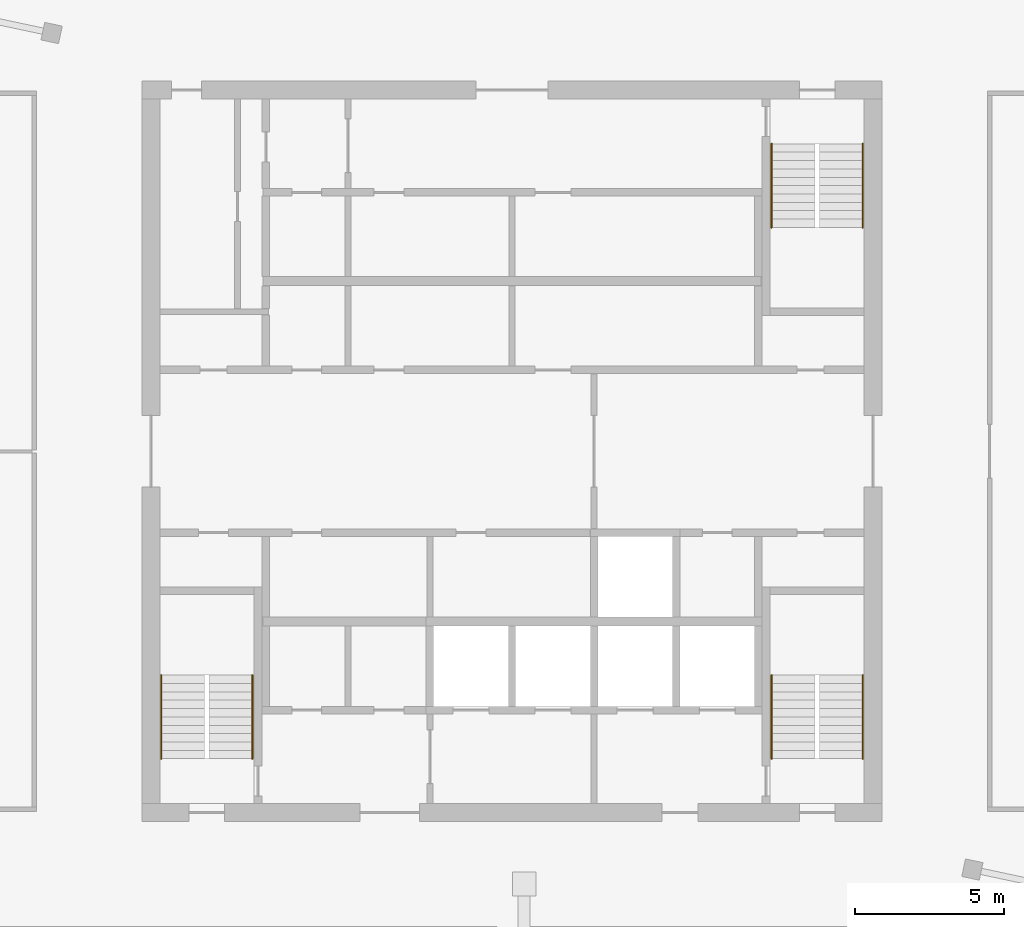
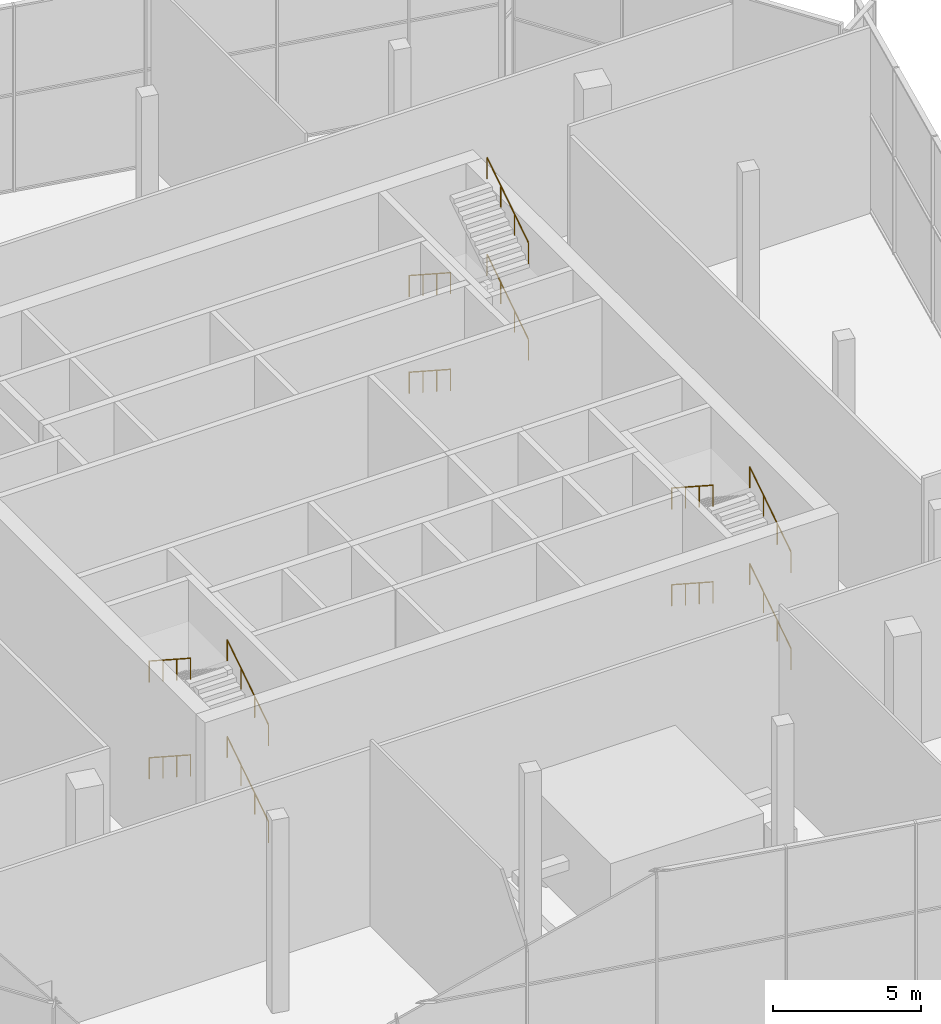
# One storey, part 13 of 14: 12 railings.
"""IFC4 building model written with IfcOpenShell, lengths in metres."""

from ifc_helpers import new_model, si_unit, direction, frame, origin, origin_2d, place, context, subcontext, project, spatial, circle, extrude, material, type_object, element, save


model = new_model("IFC4")

# Units and contexts
model_context = context("Model", 3, precision=1e-05, world=origin(), true_north=direction((0.0, 1.0)))
body_context = subcontext(model_context, "Body", "Model", "MODEL_VIEW")
ifc_project = project(units=[si_unit("LENGTHUNIT", "METRE"), si_unit("AREAUNIT", "SQUARE_METRE"), si_unit("VOLUMEUNIT", "CUBIC_METRE"), si_unit("PLANEANGLEUNIT", "RADIAN"), si_unit("MASSUNIT", "GRAM", prefix="KILO")], contexts=[model_context])

# Site, building, storey
site_placement = place(None, origin())
site = spatial("IfcSite", under=ifc_project, at=site_placement, CompositionType="ELEMENT")
building_placement = place(site_placement, origin())
building = spatial("IfcBuilding", under=site, at=building_placement, Name="Dilmun Exchange Tower", CompositionType="ELEMENT")
storey_placement = place(building_placement, frame((0.0, 0.0, 350.10009765625)))
storey = spatial("IfcBuildingStorey", under=building, at=storey_placement, Name="Crown L83", CompositionType="ELEMENT", Elevation=350.10009765625)

# Railings
ifc_material = material(Name="Stainless steel", Category="steel")
railing_type = type_object("IfcRailingType", Name="Stair handrail 900", PredefinedType="HANDRAIL", material=ifc_material)
railing_1_placement = place(storey_placement, frame((8.699951171875, 10.300048828125, 0.181640625)))
element("IfcRailing", 1, at=railing_1_placement, inside=storey, type_object=railing_type, Name="Crown L83 ST1 stair handrail 1", PredefinedType="HANDRAIL", context=body_context, shape_type="SweptSolid", body=[
    extrude(circle(Radius=0.02392578125, at=origin_2d()), frame((0.0, 0.0, 0.8759765625), z_axis=(0.0, -0.838672427954, 0.544636170843), x_axis=(1.0, 0.0, 0.0)), (0.0, 0.0, 1.0), 3.338623046875),
    extrude(circle(Radius=0.02099609375, at=origin_2d()), origin(), (0.0, 0.0, 1.0), 0.851806640625),
    extrude(circle(Radius=0.02099609375, at=origin_2d()), frame((0.0, -0.933349609375, 0.606201171875)), (0.0, 0.0, 1.0), 0.851806640625),
    extrude(circle(Radius=0.02099609375, at=origin_2d()), frame((0.0, -1.86669921875, 1.212158203125)), (0.0, 0.0, 1.0), 0.851806640625),
    extrude(circle(Radius=0.02099609375, at=origin_2d()), frame((0.0, -2.800048828125, 1.818359375)), (0.0, 0.0, 1.0), 0.851806640625),
])
railing_2_placement = place(storey_placement, frame((11.75, 7.5, 2.181640625)))
element("IfcRailing", 2, at=railing_2_placement, inside=storey, type_object=railing_type, Name="Crown L83 ST1 stair handrail 2", PredefinedType="HANDRAIL", context=body_context, shape_type="SweptSolid", body=[
    extrude(circle(Radius=0.02392578125, at=origin_2d()), frame((0.0, 0.0, 0.8759765625), z_axis=(0.0, 0.838672427954, 0.544636170843), x_axis=(-1.0, 0.0, 0.0)), (0.0, 0.0, 1.0), 3.338623046875),
    extrude(circle(Radius=0.02099609375, at=origin_2d()), origin(), (0.0, 0.0, 1.0), 0.851806640625),
    extrude(circle(Radius=0.02099609375, at=origin_2d()), frame((0.0, 0.933349609375, 0.606201171875)), (0.0, 0.0, 1.0), 0.851806640625),
    extrude(circle(Radius=0.02099609375, at=origin_2d()), frame((0.0, 1.86669921875, 1.212158203125)), (0.0, 0.0, 1.0), 0.851806640625),
    extrude(circle(Radius=0.02099609375, at=origin_2d()), frame((0.0, 2.800048828125, 1.818359375)), (0.0, 0.0, 1.0), 0.851806640625),
])
railing_3_placement = place(storey_placement, frame((8.699951171875, 10.300048828125, 4.181640625)))
element("IfcRailing", 3, at=railing_3_placement, inside=storey, type_object=railing_type, Name="Crown L83 ST1 stair handrail 3", PredefinedType="HANDRAIL", context=body_context, shape_type="SweptSolid", body=[
    extrude(circle(Radius=0.02392578125, at=origin_2d()), frame((0.0, 0.0, 0.8759765625), z_axis=(0.0, -0.838672427954, 0.544636170843), x_axis=(1.0, 0.0, 0.0)), (0.0, 0.0, 1.0), 3.338623046875),
    extrude(circle(Radius=0.02099609375, at=origin_2d()), origin(), (0.0, 0.0, 1.0), 0.851806640625),
    extrude(circle(Radius=0.02099609375, at=origin_2d()), frame((0.0, -0.933349609375, 0.606201171875)), (0.0, 0.0, 1.0), 0.851806640625),
    extrude(circle(Radius=0.02099609375, at=origin_2d()), frame((0.0, -1.86669921875, 1.212158203125)), (0.0, 0.0, 1.0), 0.851806640625),
    extrude(circle(Radius=0.02099609375, at=origin_2d()), frame((0.0, -2.800048828125, 1.818359375)), (0.0, 0.0, 1.0), 0.851806640625),
])
for number, where, name in (
    (4, (11.75, 7.5, 6.181640625), "Crown L83 ST1 stair handrail 4"),
    (5, (-8.699951171875, -10.300048828125, 0.181640625), "Crown L83 ST2 stair handrail 1"),
):
    element("IfcRailing", number, at=place(storey_placement, frame(where)), inside=storey, type_object=railing_type, Name=name, PredefinedType="HANDRAIL", context=body_context, shape_type="SweptSolid", body=[
        extrude(circle(Radius=0.02392578125, at=origin_2d()), frame((0.0, 0.0, 0.8759765625), z_axis=(0.0, 0.838672427954, 0.544636170843), x_axis=(-1.0, 0.0, 0.0)), (0.0, 0.0, 1.0), 3.338623046875),
        extrude(circle(Radius=0.02099609375, at=origin_2d()), origin(), (0.0, 0.0, 1.0), 0.851806640625),
        extrude(circle(Radius=0.02099609375, at=origin_2d()), frame((0.0, 0.933349609375, 0.606201171875)), (0.0, 0.0, 1.0), 0.851806640625),
        extrude(circle(Radius=0.02099609375, at=origin_2d()), frame((0.0, 1.86669921875, 1.212158203125)), (0.0, 0.0, 1.0), 0.851806640625),
        extrude(circle(Radius=0.02099609375, at=origin_2d()), frame((0.0, 2.800048828125, 1.818359375)), (0.0, 0.0, 1.0), 0.851806640625),
    ])
railing_4_placement = place(storey_placement, frame((-11.75, -7.5, 2.181640625)))
element("IfcRailing", 6, at=railing_4_placement, inside=storey, type_object=railing_type, Name="Crown L83 ST2 stair handrail 2", PredefinedType="HANDRAIL", context=body_context, shape_type="SweptSolid", body=[
    extrude(circle(Radius=0.02392578125, at=origin_2d()), frame((0.0, 0.0, 0.8759765625), z_axis=(0.0, -0.838672427954, 0.544636170843), x_axis=(1.0, 0.0, 0.0)), (0.0, 0.0, 1.0), 3.338623046875),
    extrude(circle(Radius=0.02099609375, at=origin_2d()), origin(), (0.0, 0.0, 1.0), 0.851806640625),
    extrude(circle(Radius=0.02099609375, at=origin_2d()), frame((0.0, -0.933349609375, 0.606201171875)), (0.0, 0.0, 1.0), 0.851806640625),
    extrude(circle(Radius=0.02099609375, at=origin_2d()), frame((0.0, -1.86669921875, 1.212158203125)), (0.0, 0.0, 1.0), 0.851806640625),
    extrude(circle(Radius=0.02099609375, at=origin_2d()), frame((0.0, -2.800048828125, 1.818359375)), (0.0, 0.0, 1.0), 0.851806640625),
])
railing_5_placement = place(storey_placement, frame((-8.699951171875, -10.300048828125, 4.181640625)))
element("IfcRailing", 7, at=railing_5_placement, inside=storey, type_object=railing_type, Name="Crown L83 ST2 stair handrail 3", PredefinedType="HANDRAIL", context=body_context, shape_type="SweptSolid", body=[
    extrude(circle(Radius=0.02392578125, at=origin_2d()), frame((0.0, 0.0, 0.8759765625), z_axis=(0.0, 0.838672427954, 0.544636170843), x_axis=(-1.0, 0.0, 0.0)), (0.0, 0.0, 1.0), 3.338623046875),
    extrude(circle(Radius=0.02099609375, at=origin_2d()), origin(), (0.0, 0.0, 1.0), 0.851806640625),
    extrude(circle(Radius=0.02099609375, at=origin_2d()), frame((0.0, 0.933349609375, 0.606201171875)), (0.0, 0.0, 1.0), 0.851806640625),
    extrude(circle(Radius=0.02099609375, at=origin_2d()), frame((0.0, 1.86669921875, 1.212158203125)), (0.0, 0.0, 1.0), 0.851806640625),
    extrude(circle(Radius=0.02099609375, at=origin_2d()), frame((0.0, 2.800048828125, 1.818359375)), (0.0, 0.0, 1.0), 0.851806640625),
])
railing_6_placement = place(storey_placement, frame((-11.75, -7.5, 6.181640625)))
element("IfcRailing", 8, at=railing_6_placement, inside=storey, type_object=railing_type, Name="Crown L83 ST2 stair handrail 4", PredefinedType="HANDRAIL", context=body_context, shape_type="SweptSolid", body=[
    extrude(circle(Radius=0.02392578125, at=origin_2d()), frame((0.0, 0.0, 0.8759765625), z_axis=(0.0, -0.838672427954, 0.544636170843), x_axis=(1.0, 0.0, 0.0)), (0.0, 0.0, 1.0), 3.338623046875),
    extrude(circle(Radius=0.02099609375, at=origin_2d()), origin(), (0.0, 0.0, 1.0), 0.851806640625),
    extrude(circle(Radius=0.02099609375, at=origin_2d()), frame((0.0, -0.933349609375, 0.606201171875)), (0.0, 0.0, 1.0), 0.851806640625),
    extrude(circle(Radius=0.02099609375, at=origin_2d()), frame((0.0, -1.86669921875, 1.212158203125)), (0.0, 0.0, 1.0), 0.851806640625),
    extrude(circle(Radius=0.02099609375, at=origin_2d()), frame((0.0, -2.800048828125, 1.818359375)), (0.0, 0.0, 1.0), 0.851806640625),
])
railing_7_placement = place(storey_placement, frame((11.75, -10.300048828125, 0.181640625)))
element("IfcRailing", 9, at=railing_7_placement, inside=storey, type_object=railing_type, Name="Crown L83 ST3 stair handrail 1", PredefinedType="HANDRAIL", context=body_context, shape_type="SweptSolid", body=[
    extrude(circle(Radius=0.02392578125, at=origin_2d()), frame((0.0, 0.0, 0.8759765625), z_axis=(0.0, 0.838672427954, 0.544636170843), x_axis=(-1.0, 0.0, 0.0)), (0.0, 0.0, 1.0), 3.338623046875),
    extrude(circle(Radius=0.02099609375, at=origin_2d()), origin(), (0.0, 0.0, 1.0), 0.851806640625),
    extrude(circle(Radius=0.02099609375, at=origin_2d()), frame((0.0, 0.933349609375, 0.606201171875)), (0.0, 0.0, 1.0), 0.851806640625),
    extrude(circle(Radius=0.02099609375, at=origin_2d()), frame((0.0, 1.86669921875, 1.212158203125)), (0.0, 0.0, 1.0), 0.851806640625),
    extrude(circle(Radius=0.02099609375, at=origin_2d()), frame((0.0, 2.800048828125, 1.818359375)), (0.0, 0.0, 1.0), 0.851806640625),
])
railing_8_placement = place(storey_placement, frame((8.699951171875, -7.5, 2.181640625)))
element("IfcRailing", 10, at=railing_8_placement, inside=storey, type_object=railing_type, Name="Crown L83 ST3 stair handrail 2", PredefinedType="HANDRAIL", context=body_context, shape_type="SweptSolid", body=[
    extrude(circle(Radius=0.02392578125, at=origin_2d()), frame((0.0, 0.0, 0.8759765625), z_axis=(0.0, -0.838672427954, 0.544636170843), x_axis=(1.0, 0.0, 0.0)), (0.0, 0.0, 1.0), 3.338623046875),
    extrude(circle(Radius=0.02099609375, at=origin_2d()), origin(), (0.0, 0.0, 1.0), 0.851806640625),
    extrude(circle(Radius=0.02099609375, at=origin_2d()), frame((0.0, -0.933349609375, 0.606201171875)), (0.0, 0.0, 1.0), 0.851806640625),
    extrude(circle(Radius=0.02099609375, at=origin_2d()), frame((0.0, -1.86669921875, 1.212158203125)), (0.0, 0.0, 1.0), 0.851806640625),
    extrude(circle(Radius=0.02099609375, at=origin_2d()), frame((0.0, -2.800048828125, 1.818359375)), (0.0, 0.0, 1.0), 0.851806640625),
])
railing_9_placement = place(storey_placement, frame((11.75, -10.300048828125, 4.181640625)))
element("IfcRailing", 11, at=railing_9_placement, inside=storey, type_object=railing_type, Name="Crown L83 ST3 stair handrail 3", PredefinedType="HANDRAIL", context=body_context, shape_type="SweptSolid", body=[
    extrude(circle(Radius=0.02392578125, at=origin_2d()), frame((0.0, 0.0, 0.8759765625), z_axis=(0.0, 0.838672427954, 0.544636170843), x_axis=(-1.0, 0.0, 0.0)), (0.0, 0.0, 1.0), 3.338623046875),
    extrude(circle(Radius=0.02099609375, at=origin_2d()), origin(), (0.0, 0.0, 1.0), 0.851806640625),
    extrude(circle(Radius=0.02099609375, at=origin_2d()), frame((0.0, 0.933349609375, 0.606201171875)), (0.0, 0.0, 1.0), 0.851806640625),
    extrude(circle(Radius=0.02099609375, at=origin_2d()), frame((0.0, 1.86669921875, 1.212158203125)), (0.0, 0.0, 1.0), 0.851806640625),
    extrude(circle(Radius=0.02099609375, at=origin_2d()), frame((0.0, 2.800048828125, 1.818359375)), (0.0, 0.0, 1.0), 0.851806640625),
])
railing_10_placement = place(storey_placement, frame((8.699951171875, -7.5, 6.181640625)))
element("IfcRailing", 12, at=railing_10_placement, inside=storey, type_object=railing_type, Name="Crown L83 ST3 stair handrail 4", PredefinedType="HANDRAIL", context=body_context, shape_type="SweptSolid", body=[
    extrude(circle(Radius=0.02392578125, at=origin_2d()), frame((0.0, 0.0, 0.8759765625), z_axis=(0.0, -0.838672427954, 0.544636170843), x_axis=(1.0, 0.0, 0.0)), (0.0, 0.0, 1.0), 3.338623046875),
    extrude(circle(Radius=0.02099609375, at=origin_2d()), origin(), (0.0, 0.0, 1.0), 0.851806640625),
    extrude(circle(Radius=0.02099609375, at=origin_2d()), frame((0.0, -0.933349609375, 0.606201171875)), (0.0, 0.0, 1.0), 0.851806640625),
    extrude(circle(Radius=0.02099609375, at=origin_2d()), frame((0.0, -1.86669921875, 1.212158203125)), (0.0, 0.0, 1.0), 0.851806640625),
    extrude(circle(Radius=0.02099609375, at=origin_2d()), frame((0.0, -2.800048828125, 1.818359375)), (0.0, 0.0, 1.0), 0.851806640625),
])

save(model, "model.ifc")
